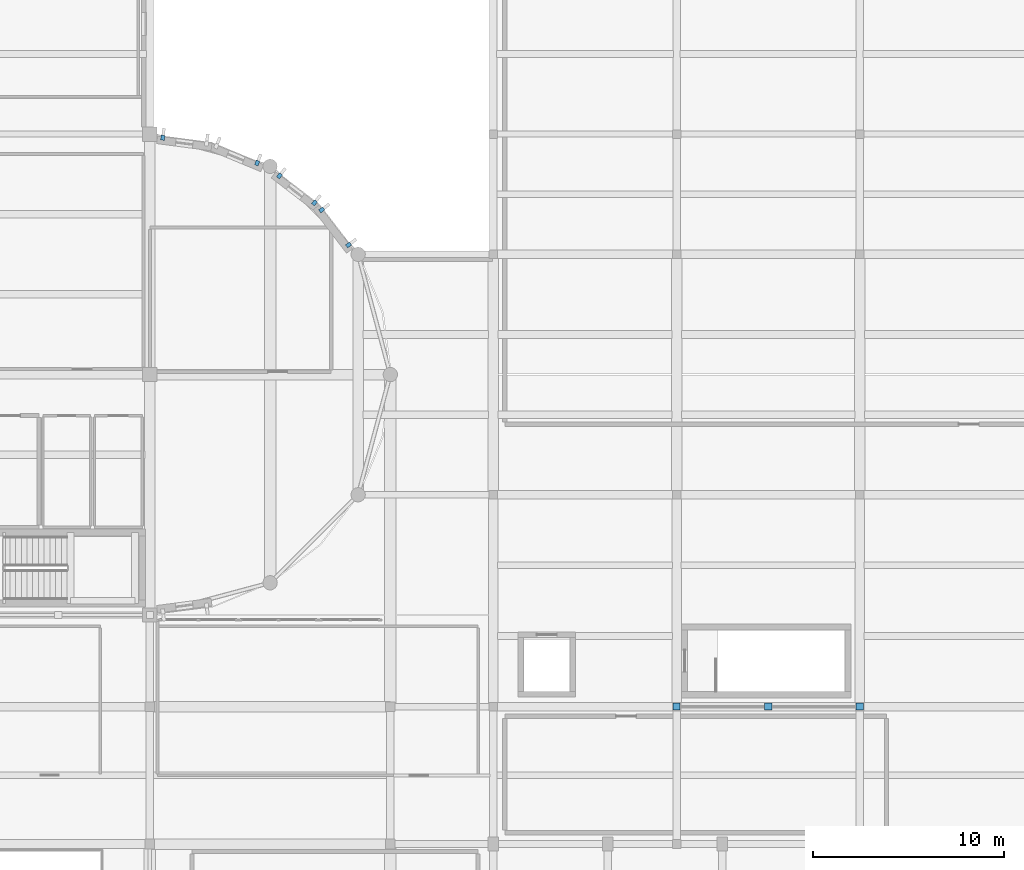
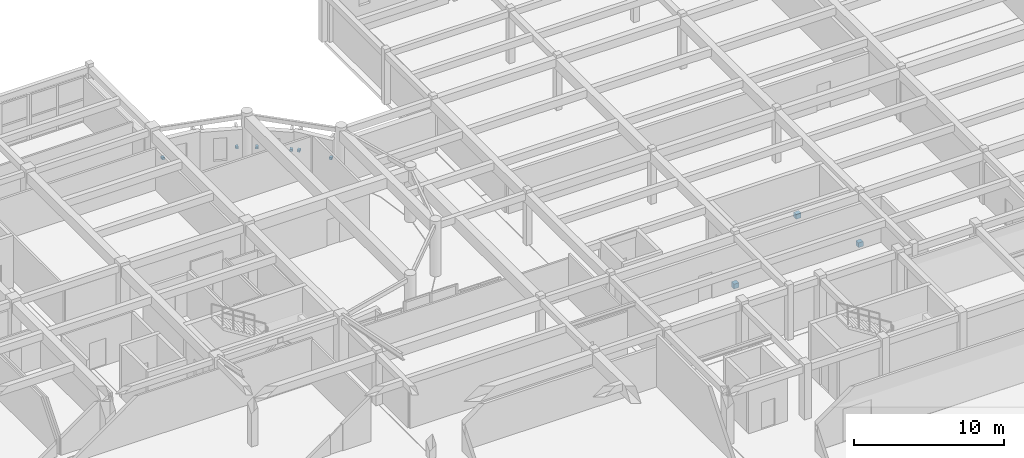
# One storey, part 79 of 91: 9 discrete accessories.
"""IFC4 building model written with IfcOpenShell, lengths in metres."""

import ifcopenshell
import ifcopenshell.guid

model = None  # the IFC model being written
_history = None  # IfcOwnerHistory: only IFC2X3 demands one
_inside = {}  # id of a spatial element -> (the spatial element, [elements in it])
_under = {}  # id of a project, library or spatial element -> (it, [spatial elements below it])
_declared = {}  # id of a project -> (the project, [libraries it declares])
_typed = {}  # id of a type object -> (the type object, [elements of that type])
_made_of = {}  # id of a material, layer set ... -> (it, [elements and type objects made of it])


def new_model(schema):
    """Start an empty IFC model of exactly this schema.

    Asked for "IFC4X3", IfcOpenShell would pick the latest addendum, in which some entities
    have other attributes; the version numbers below select the first issue.
    IFC2X3 requires an IfcOwnerHistory on every rooted entity: one is made here for all.
    """
    global model, _history
    if schema == "IFC4X3":
        model = ifcopenshell.file(schema_version=(4, 3, 0, 0))
    else:
        model = ifcopenshell.file(schema=schema)
    _inside.clear()
    _under.clear()
    _declared.clear()
    _typed.clear()
    _made_of.clear()
    _history = None
    if model.schema == "IFC2X3":
        org = make("IfcOrganization", Name="unknown")
        user = make(
            "IfcPersonAndOrganization",
            ThePerson=make("IfcPerson", FamilyName="unknown"),
            TheOrganization=org,
        )
        app = make(
            "IfcApplication",
            ApplicationDeveloper=org,
            Version="unknown",
            ApplicationFullName="unknown",
            ApplicationIdentifier="unknown",
        )
        _history = make(
            "IfcOwnerHistory",
            OwningUser=user,
            OwningApplication=app,
            ChangeAction="ADDED",
            CreationDate=0,
        )
    return model


def make(cls, **values):
    """One entity of the class cls with the attributes given. An attribute that is None is left unset."""
    return model.create_entity(
        cls, **{name: value for name, value in values.items() if value is not None}
    )


def rooted(cls, **values):
    """An entity with a GlobalId (a new one), such as an element, a storey or a relation."""
    return make(cls, GlobalId=ifcopenshell.guid.new(), OwnerHistory=_history, **values)


def si_unit(unit_type, name, prefix=None):
    """IfcSIUnit, for example si_unit("LENGTHUNIT", "METRE", prefix="MILLI")."""
    return make("IfcSIUnit", UnitType=unit_type, Prefix=prefix, Name=name)


def assignment(units):
    """IfcUnitAssignment: the units of a project."""
    return None if units is None else make("IfcUnitAssignment", Units=units)


def point(xyz):
    """IfcCartesianPoint."""
    return None if xyz is None else make("IfcCartesianPoint", Coordinates=xyz)


def direction(xyz):
    """IfcDirection."""
    return None if xyz is None else make("IfcDirection", DirectionRatios=xyz)


def frame(location, z_axis=None, x_axis=None):
    """IfcAxis2Placement3D, a coordinate frame: its origin and axes. An axis left out is left unset."""
    return make(
        "IfcAxis2Placement3D",
        Location=point(location),
        Axis=direction(z_axis),
        RefDirection=direction(x_axis),
    )


def frame_2d(location, x_axis=None):
    """IfcAxis2Placement2D, a coordinate frame in the plane: its origin and x axis."""
    return make(
        "IfcAxis2Placement2D", Location=point(location), RefDirection=direction(x_axis)
    )


def origin():
    """The frame at (0, 0, 0) with its axes left unset."""
    return frame((0.0, 0.0, 0.0))


def origin_2d():
    """The frame at (0, 0) in the plane with its x axis left unset."""
    return frame_2d((0.0, 0.0))


def place(relative_to, where):
    """IfcLocalPlacement: puts the frame where relative to a parent placement (None: the world)."""
    return make(
        "IfcLocalPlacement", PlacementRelTo=relative_to, RelativePlacement=where
    )


def context(
    kind, dimensions, precision=None, world=None, true_north=None, identifier=None
):
    """IfcGeometricRepresentationContext, for example the 3D "Model" context."""
    return make(
        "IfcGeometricRepresentationContext",
        ContextIdentifier=identifier,
        ContextType=kind,
        CoordinateSpaceDimension=dimensions,
        Precision=precision,
        WorldCoordinateSystem=world,
        TrueNorth=true_north,
    )


def subcontext(parent, identifier, kind, view, scale=None):
    """IfcGeometricRepresentationSubContext, for example "Body" below "Model"."""
    return make(
        "IfcGeometricRepresentationSubContext",
        ContextIdentifier=identifier,
        ContextType=kind,
        ParentContext=parent,
        TargetScale=scale,
        TargetView=view,
    )


def project(units=None, contexts=None):
    """IfcProject with its units and contexts."""
    return rooted(
        "IfcProject",
        Name="project",
        RepresentationContexts=contexts,
        UnitsInContext=assignment(units),
    )


def spatial(cls, under=None, at=None, **own):
    """A site, building, storey or space (cls), placed at a placement, below another one or the project."""
    s = rooted(cls, ObjectPlacement=at, **own)
    if under is not None:
        _under.setdefault(under.id(), (under, []))[1].append(s)
    return s


def profile(cls, at=None, kind="AREA", **sizes):
    """A parametric profile (cls). Its sizes go by their IFC names, for example OverallWidth=200.0."""
    return make(cls, ProfileType=kind, Position=at, **sizes)


def rectangle(**sizes):
    """IfcRectangleProfileDef."""
    return profile("IfcRectangleProfileDef", **sizes)


def extrude(swept, where, along, depth):
    """IfcExtrudedAreaSolid: the profile swept, set in the frame where, extruded along a direction by depth."""
    return make(
        "IfcExtrudedAreaSolid",
        SweptArea=swept,
        Position=where,
        ExtrudedDirection=direction(along),
        Depth=depth,
    )


def shape(context_of_items, identifier, shape_type, items):
    """IfcShapeRepresentation: the items that make up one representation, for example the "Body"."""
    return make(
        "IfcShapeRepresentation",
        ContextOfItems=context_of_items,
        RepresentationIdentifier=identifier,
        RepresentationType=shape_type,
        Items=items,
    )


def material(Name=None, Category=None):
    """IfcMaterial."""
    return make("IfcMaterial", Name=Name, Category=Category)


def made_of(thing, what):
    """Note that an element or type object is made of a material, layer set ...; save() writes the relation."""
    if what is not None:
        _made_of.setdefault(what.id(), (what, []))[1].append(thing)
    return thing


def type_object(cls, material=None, **own):
    """A type object (cls), such as IfcWallType, which elements share."""
    return made_of(rooted(cls, **own), material)


def element(
    cls,
    number,
    at=None,
    inside=None,
    cuts=None,
    type_object=None,
    material=None,
    context=None,
    identifier="Body",
    shape_type=None,
    held_by="IfcProductDefinitionShape",
    body=None,
    shapes=None,
    **own,
):
    """One element of the class cls, such as IfcWall. Its Tag is "e" and its number.

    at: its placement. inside: the storey or other place that contains it. cuts: it is an
    opening in that element (IfcRelVoidsElement). A single representation is given by context,
    identifier, shape_type and body (its items); several are given by shapes. held_by: the class
    of the entity that holds the representations. save() writes the other relations.
    """
    e = rooted(cls, Tag="e%d" % number, ObjectPlacement=at, **own)
    if body is not None:
        shapes = [shape(context, identifier, shape_type, body)]
    if shapes is not None:
        e.Representation = make(held_by, Representations=shapes)
    if inside is not None:
        _inside.setdefault(inside.id(), (inside, []))[1].append(e)
    if cuts is not None:
        rooted(
            "IfcRelVoidsElement", RelatingBuildingElement=cuts, RelatedOpeningElement=e
        )
    if type_object is not None:
        _typed.setdefault(type_object.id(), (type_object, []))[1].append(e)
    return made_of(e, material)


def aggregate(whole, parts):
    """IfcRelAggregates: a whole, such as a stair, and the parts it consists of."""
    return rooted("IfcRelAggregates", RelatingObject=whole, RelatedObjects=parts)


def save(model, path):
    """Write the relations noted so far, then the file.

    IfcRelAggregates (storeys below a building ...), IfcRelContainedInSpatialStructure (elements
    in a storey), IfcRelDefinesByType, IfcRelAssociatesMaterial and IfcRelDeclares: one each for
    every whole, place, type object, material and project.
    """
    for whole, parts in _under.values():
        aggregate(whole, parts)
    for where, things in _inside.values():
        rooted(
            "IfcRelContainedInSpatialStructure",
            RelatedElements=things,
            RelatingStructure=where,
        )
    for kind, things in _typed.values():
        rooted("IfcRelDefinesByType", RelatedObjects=things, RelatingType=kind)
    for what, things in _made_of.values():
        rooted("IfcRelAssociatesMaterial", RelatedObjects=things, RelatingMaterial=what)
    for by, libraries in _declared.values():
        rooted("IfcRelDeclares", RelatingContext=by, RelatedDefinitions=libraries)
    model.write(path)


model = new_model("IFC4")

# Units and contexts
model_context = context("Model", 3, precision=1e-05, world=origin(), true_north=direction((0.0, 1.0)))
body_context = subcontext(model_context, "Body", "Model", "MODEL_VIEW")
ifc_project = project(units=[si_unit("LENGTHUNIT", "METRE"), si_unit("AREAUNIT", "SQUARE_METRE"), si_unit("VOLUMEUNIT", "CUBIC_METRE"), si_unit("PLANEANGLEUNIT", "RADIAN"), si_unit("MASSUNIT", "GRAM", prefix="KILO")], contexts=[model_context])

# Site, building, storey
site_placement = place(None, origin())
site = spatial("IfcSite", under=ifc_project, at=site_placement, CompositionType="ELEMENT")
building_placement = place(site_placement, origin())
building = spatial("IfcBuilding", under=site, at=building_placement, Name="Tarnavel Promenade Courthouse", CompositionType="ELEMENT")
storey_placement = place(building_placement, frame((0.0, 0.0, 9.89990234375)))
storey = spatial("IfcBuildingStorey", under=building, at=storey_placement, Name="L03", CompositionType="ELEMENT", Elevation=9.89990234375)

# Discrete accessories
ifc_material = material(Name="Steel S355J2", Category="steel")
discrete_accessory_type_1 = type_object("IfcDiscreteAccessoryType", Name="Steel S355J2 Facade Pier Anchor Bracket", PredefinedType="BRACKET", material=ifc_material)
for number, where, z_axis, x_axis, name in (
    (1, (112.409423828125, 98.590576171875, 1.60009765625), (0.0, 0.0, 1.0), (-0.608761429009, 0.793353340291, 0.0), "L03 Drum Pier Bracket 0083"),
    (2, (111.000732421875, 100.426513671875, 1.60009765625), (0.0, 0.0, 1.0), (-0.608761429009, 0.793353340291, 0.0), "L03 Drum Pier Bracket 0084"),
    (3, (110.62646484375, 100.80078125, 1.55029296875), (0.0, 0.0, 1.0), (-0.793353340291, 0.608761429009, 0.0), "L03 Drum Pier Bracket 0085"),
    (4, (108.79052734375, 102.20947265625, 1.55029296875), (0.0, 0.0, 1.0), (-0.793353340291, 0.608761429009, 0.0), "L03 Drum Pier Bracket 0086"),
    (5, (107.61962890625, 102.885498046875, 1.55029296875), (0.0, 0.0, 1.0), (-0.923879532511, 0.382683432365, 0.0), "L03 Drum Pier Bracket 0087"),
    (6, (102.676025390625, 104.210205078125, 1.60009765625), (0.0, 0.0, 1.0), (-0.991444861374, 0.13052619222, 0.0), "L03 Drum Pier Bracket 0090"),
):
    element("IfcDiscreteAccessory", number, at=place(storey_placement, frame(where, z_axis=z_axis, x_axis=x_axis)), inside=storey, type_object=discrete_accessory_type_1, Name=name, PredefinedType="BRACKET", context=body_context, shape_type="SweptSolid", body=[
        extrude(rectangle(XDim=0.199951171875, YDim=0.260009765625, at=origin_2d()), origin(), (0.0, 0.0, 1.0), 0.179931640625),
    ])
discrete_accessory_type_2 = type_object("IfcDiscreteAccessoryType", Name="Steel S355J2 Structural Connection Bracket", PredefinedType="BRACKET", material=ifc_material)
for number, where, z_axis, x_axis, name in (
    (7, (129.60009765625, 74.39990234375, -0.18994140625), (0.0, 0.0, 1.0), (1.0, 0.0, 0.0), "L03 V6 Chevron Brace Gusset Node 050-L"),
    (8, (134.39990234375, 74.39990234375, 3.80517578125), (0.0, 0.0, 1.0), (1.0, 0.0, 0.0), "L03 V6 Chevron Brace Gusset Node 050-M"),
    (9, (139.199951171875, 74.39990234375, -0.18994140625), (0.0, 0.0, 1.0), (1.0, 0.0, 0.0), "L03 V6 Chevron Brace Gusset Node 050-R"),
):
    element("IfcDiscreteAccessory", number, at=place(storey_placement, frame(where, z_axis=z_axis, x_axis=x_axis)), inside=storey, type_object=discrete_accessory_type_2, Name=name, PredefinedType="BRACKET", context=body_context, shape_type="SweptSolid", body=[
        extrude(rectangle(XDim=0.3798828125, YDim=0.360107421875, at=origin_2d()), origin(), (0.0, 0.0, 1.0), 0.3798828125),
    ])

save(model, "model.ifc")
